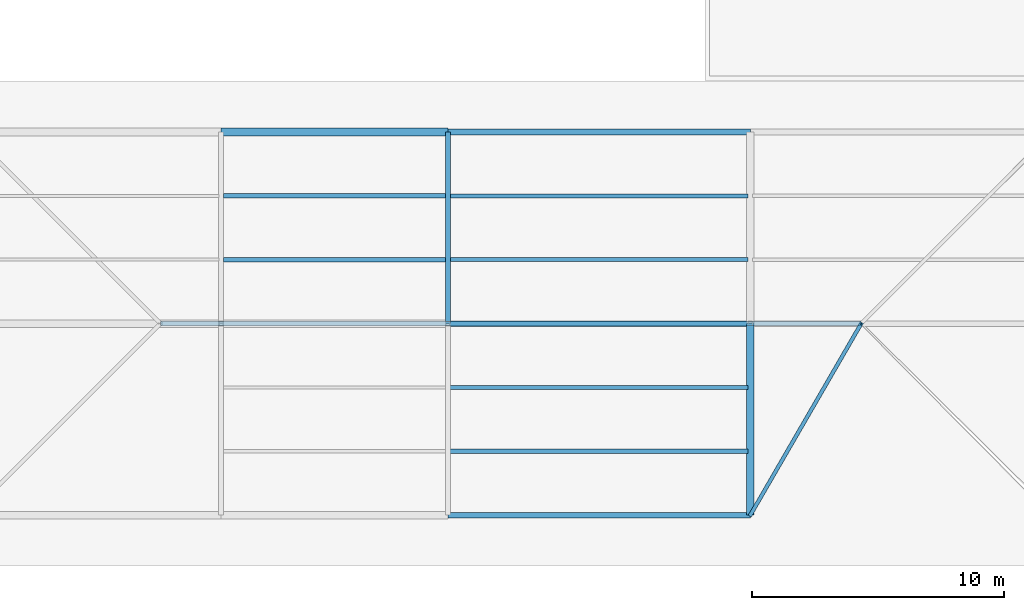
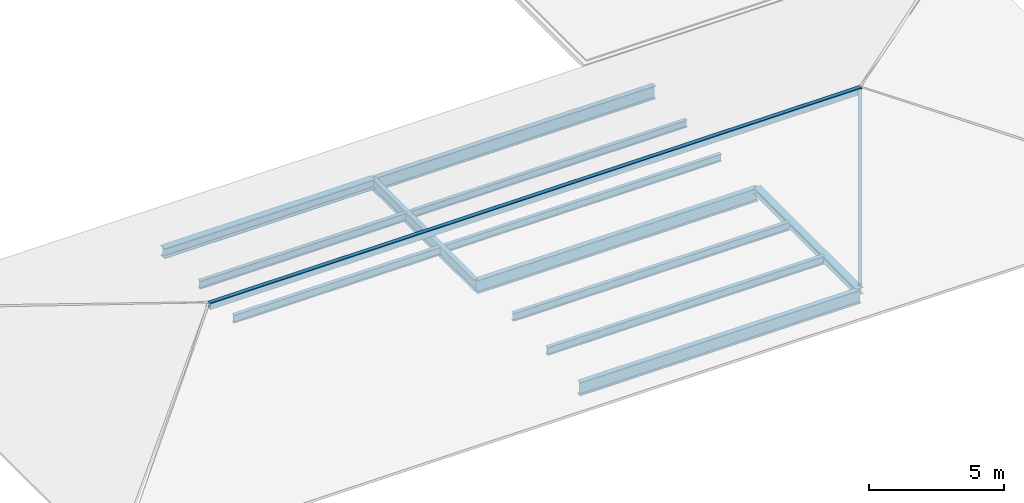
# One storey, part 55 of 120: 12 beams, 2 members.
"""IFC4 building model written with IfcOpenShell, lengths in metres."""

from ifc_helpers import new_model, si_unit, direction, frame, origin, origin_2d, place, context, subcontext, project, spatial, hollow_rectangle, i_section, extrude, material, material_profile, profile_set, type_object, element, save


model = new_model("IFC4")

# Units and contexts
model_context = context("Model", 3, precision=1e-05, world=origin(), true_north=direction((0.0, 1.0)))
body_context = subcontext(model_context, "Body", "Model", "MODEL_VIEW")
ifc_project = project(units=[si_unit("LENGTHUNIT", "METRE"), si_unit("AREAUNIT", "SQUARE_METRE"), si_unit("VOLUMEUNIT", "CUBIC_METRE"), si_unit("PLANEANGLEUNIT", "RADIAN"), si_unit("MASSUNIT", "GRAM", prefix="KILO")], contexts=[model_context])

# Site, building, storey
site_placement = place(None, origin())
site = spatial("IfcSite", under=ifc_project, at=site_placement, CompositionType="ELEMENT")
building_placement = place(site_placement, origin())
building = spatial("IfcBuilding", under=site, at=building_placement, Name="Vekula Escarpment Museum", CompositionType="ELEMENT")
storey_placement = place(building_placement, frame((0.0, 0.0, 13.199951171875)))
storey = spatial("IfcBuildingStorey", under=building, at=storey_placement, Name="L03", CompositionType="ELEMENT", Elevation=13.199951171875)

# Beams
ifc_material_1 = material(Name="Steel S355", Category="steel")
ifc_material_profile_1 = material_profile(ifc_material_1, i_section(OverallWidth=0.300048828125, OverallDepth=0.449951171875, WebThickness=0.013916015625, FlangeThickness=0.02587890625, FilletRadius=0.027099609375, at=origin_2d()), Name="HEB 450")
ifc_profile_set_1 = profile_set([ifc_material_profile_1], Name="Steel S355")
beam_type_1 = type_object("IfcBeamType", Name="BM-GIRD-HEB450", PredefinedType="BEAM", material=ifc_profile_set_1)
beam_1_placement = place(storey_placement, frame((146.0, 15.199951171875, -0.474853515625), z_axis=(1.0, 0.0, 0.0), x_axis=(0.0, 1.0, 0.0)))
element("IfcBeam", 1, at=beam_1_placement, inside=storey, type_object=beam_type_1, Name="Beam X L03 1302", PredefinedType="BEAM", context=body_context, shape_type="SweptSolid", body=[
    extrude(i_section(OverallWidth=0.300048828125, OverallDepth=0.449951171875, WebThickness=0.013916015625, FlangeThickness=0.02587890625, FilletRadius=0.027099609375, at=origin_2d()), origin(), (0.0, 0.0, 1.0), 9.0),
])
ifc_material_2 = material(Name="Steel S355", Category="steel")
ifc_material_profile_2 = material_profile(ifc_material_2, i_section(OverallWidth=0.199951171875, OverallDepth=0.5, WebThickness=0.01025390625, FlangeThickness=0.01611328125, FilletRadius=0.02099609375, at=origin_2d()), Name="IPE 500")
ifc_profile_set_2 = profile_set([ifc_material_profile_2], Name="Steel S355")
beam_type_2 = type_object("IfcBeamType", Name="BM-GIRD-IPE500", PredefinedType="BEAM", material=ifc_profile_set_2)
beam_2_placement = place(storey_placement, frame((155.0, 7.60009765625, -0.5), z_axis=(0.0, 1.0, 0.0), x_axis=(-1.0, 0.0, 0.0)))
element("IfcBeam", 2, at=beam_2_placement, inside=storey, type_object=beam_type_2, Name="Beam Y L03 1638", PredefinedType="BEAM", context=body_context, shape_type="SweptSolid", body=[
    extrude(i_section(OverallWidth=0.199951171875, OverallDepth=0.5, WebThickness=0.01025390625, FlangeThickness=0.01611328125, FilletRadius=0.02099609375, at=origin_2d()), origin(), (0.0, 0.0, 1.0), 7.599853515625),
])
ifc_material_3 = material(Name="Steel S355", Category="steel")
ifc_material_profile_3 = material_profile(ifc_material_3, i_section(OverallWidth=0.219970703125, OverallDepth=0.60009765625, WebThickness=0.011962890625, FlangeThickness=0.01904296875, FilletRadius=0.02392578125, at=origin_2d()), Name="IPE 600")
ifc_profile_set_3 = profile_set([ifc_material_profile_3], Name="Steel S355")
beam_type_3 = type_object("IfcBeamType", Name="BM-GIRD-IPE600", PredefinedType="BEAM", material=ifc_profile_set_3)
for number, where, z_axis, x_axis, name in (
    (3, (155.0, 0.0, -0.550048828125), (1.0, 0.0, 0.0), (0.0, 1.0, 0.0), "Beam X L03 1278"),
    (4, (155.0, 7.60009765625, -0.550048828125), (1.0, 0.0, 0.0), (0.0, 1.0, 0.0), "Beam X L03 1290"),
    (5, (155.0, 15.199951171875, -0.550048828125), (1.0, 0.0, 0.0), (0.0, 1.0, 0.0), "Beam X L03 1303"),
):
    element("IfcBeam", number, at=place(storey_placement, frame(where, z_axis=z_axis, x_axis=x_axis)), inside=storey, type_object=beam_type_3, Name=name, PredefinedType="BEAM", context=body_context, shape_type="SweptSolid", body=[
        extrude(i_section(OverallWidth=0.219970703125, OverallDepth=0.60009765625, WebThickness=0.011962890625, FlangeThickness=0.01904296875, FilletRadius=0.02392578125, at=origin_2d()), origin(), (0.0, 0.0, 1.0), 12.0),
    ])
ifc_material_4 = material(Name="Steel S355", Category="steel")
ifc_material_profile_4 = material_profile(ifc_material_4, i_section(OverallWidth=0.159912109375, OverallDepth=0.330078125, WebThickness=0.007568359375, FlangeThickness=0.011474609375, FilletRadius=0.01806640625, at=origin_2d()), Name="IPE 330")
ifc_profile_set_4 = profile_set([ifc_material_profile_4], Name="Steel S355")
beam_type_4 = type_object("IfcBeamType", Name="BM-JST-IPE330", PredefinedType="JOIST", material=ifc_profile_set_4)
for number, where, z_axis, x_axis, name in (
    (6, (155.090087890625, 10.13330078125, -0.4150390625), (1.0, 0.0, 0.0), (0.0, 1.0, 0.0), "Secondary Joist L03 1088"),
    (7, (155.090087890625, 12.666748046875, -0.4150390625), (1.0, 0.0, 0.0), (0.0, 1.0, 0.0), "Secondary Joist L03 1089"),
):
    element("IfcBeam", number, at=place(storey_placement, frame(where, z_axis=z_axis, x_axis=x_axis)), inside=storey, type_object=beam_type_4, Name=name, PredefinedType="JOIST", context=body_context, shape_type="SweptSolid", body=[
        extrude(i_section(OverallWidth=0.159912109375, OverallDepth=0.330078125, WebThickness=0.007568359375, FlangeThickness=0.011474609375, FilletRadius=0.01806640625, at=origin_2d()), origin(), (0.0, 0.0, 1.0), 11.81982421875),
    ])
ifc_material_5 = material(Name="Steel S355", Category="steel")
ifc_material_profile_5 = material_profile(ifc_material_5, i_section(OverallWidth=0.169921875, OverallDepth=0.360107421875, WebThickness=0.008056640625, FlangeThickness=0.0126953125, FilletRadius=0.01806640625, at=origin_2d()), Name="IPE 360")
ifc_profile_set_5 = profile_set([ifc_material_profile_5], Name="Steel S355")
beam_type_5 = type_object("IfcBeamType", Name="BM-JST-IPE360", PredefinedType="JOIST", material=ifc_profile_set_5)
for number, where, z_axis, x_axis, name in (
    (8, (146.090087890625, 10.13330078125, -0.429931640625), (1.0, 0.0, 0.0), (0.0, 1.0, 0.0), "Secondary Joist L03 1082"),
    (9, (146.090087890625, 12.666748046875, -0.429931640625), (1.0, 0.0, 0.0), (0.0, 1.0, 0.0), "Secondary Joist L03 1083"),
):
    element("IfcBeam", number, at=place(storey_placement, frame(where, z_axis=z_axis, x_axis=x_axis)), inside=storey, type_object=beam_type_5, Name=name, PredefinedType="JOIST", context=body_context, shape_type="SweptSolid", body=[
        extrude(i_section(OverallWidth=0.169921875, OverallDepth=0.360107421875, WebThickness=0.008056640625, FlangeThickness=0.0126953125, FilletRadius=0.01806640625, at=origin_2d()), origin(), (0.0, 0.0, 1.0), 8.81982421875),
    ])
for number, where, z_axis, x_axis, name in (
    (10, (155.090087890625, 2.533203125, -0.429931640625), (1.0, 0.0, 0.0), (0.0, 1.0, 0.0), "Secondary Joist L03 1086"),
    (11, (155.090087890625, 5.066650390625, -0.429931640625), (1.0, 0.0, 0.0), (0.0, 1.0, 0.0), "Secondary Joist L03 1087"),
):
    element("IfcBeam", number, at=place(storey_placement, frame(where, z_axis=z_axis, x_axis=x_axis)), inside=storey, type_object=beam_type_5, Name=name, PredefinedType="JOIST", context=body_context, shape_type="SweptSolid", body=[
        extrude(i_section(OverallWidth=0.169921875, OverallDepth=0.360107421875, WebThickness=0.008056640625, FlangeThickness=0.0126953125, FilletRadius=0.01806640625, at=origin_2d()), origin(), (0.0, 0.0, 1.0), 11.81982421875),
    ])
ifc_material_6 = material(Name="Steel S355", Category="steel")
ifc_material_profile_6 = material_profile(ifc_material_6, i_section(OverallWidth=0.300048828125, OverallDepth=0.2900390625, WebThickness=0.008544921875, FlangeThickness=0.013916015625, FilletRadius=0.027099609375, at=origin_2d()), Name="HEA 300")
ifc_profile_set_6 = profile_set([ifc_material_profile_6], Name="Steel S355")
beam_type_6 = type_object("IfcBeamType", Name="BM-SPAN-HEA300", PredefinedType="SPANDREL", material=ifc_profile_set_6)
beam_3_placement = place(storey_placement, frame((167.0, 0.0, -0.39501953125), z_axis=(0.0, 1.0, 0.0), x_axis=(-1.0, 0.0, 0.0)))
element("IfcBeam", 12, at=beam_3_placement, inside=storey, type_object=beam_type_6, Name="Beam Y L03 1640", PredefinedType="SPANDREL", context=body_context, shape_type="SweptSolid", body=[
    extrude(i_section(OverallWidth=0.300048828125, OverallDepth=0.2900390625, WebThickness=0.008544921875, FlangeThickness=0.013916015625, FilletRadius=0.027099609375, at=origin_2d()), origin(), (0.0, 0.0, 1.0), 7.60009765625),
])

# Members
ifc_material_7 = material(Name="Steel S355", Category="steel")
ifc_material_profile_7 = material_profile(ifc_material_7, hollow_rectangle(XDim=0.199951171875, YDim=0.300048828125, WallThickness=0.011962890625, InnerFilletRadius=0.011962890625, OuterFilletRadius=0.02392578125, at=origin_2d()), Name="RHS 300x200x12")
ifc_profile_set_7 = profile_set([ifc_material_profile_7], Name="Steel S355")
member_type_1 = type_object("IfcMemberType", Name="MB-CHORD-RHS300", PredefinedType="CHORD", material=ifc_profile_set_7)
member_1_placement = place(storey_placement, frame((143.60009765625, 7.60009765625, 2.56005859375), z_axis=(1.0, 0.0, 0.0), x_axis=(0.0, 1.0, 0.0)))
element("IfcMember", 13, at=member_1_placement, inside=storey, type_object=member_type_1, Name="Entry Pavilion Roof Ridge Chord", PredefinedType="CHORD", context=body_context, shape_type="SweptSolid", body=[
    extrude(hollow_rectangle(XDim=0.199951171875, YDim=0.300048828125, WallThickness=0.011962890625, InnerFilletRadius=0.011962890625, OuterFilletRadius=0.02392578125, at=origin_2d()), origin(), (0.0, 0.0, 1.0), 27.7998046875),
])
ifc_material_8 = material(Name="Steel S355", Category="steel")
ifc_material_profile_8 = material_profile(ifc_material_8, i_section(OverallWidth=0.14990234375, OverallDepth=0.300048828125, WebThickness=0.007080078125, FlangeThickness=0.0107421875, FilletRadius=0.014892578125, at=origin_2d()), Name="IPE 300")
ifc_profile_set_8 = profile_set([ifc_material_profile_8], Name="Steel S355")
member_type_2 = type_object("IfcMemberType", Name="MB-HIP-RAFTER", PredefinedType="CHORD", material=ifc_profile_set_8)
member_2_placement = place(storey_placement, frame((167.0, 0.0, -0.14990234375), z_axis=(0.478746812468, 0.826955291984, 0.294866808256), x_axis=(-0.865433898834, 0.501023119974, 0.0)))
element("IfcMember", 14, at=member_2_placement, inside=storey, type_object=member_type_2, Name="Entry Pavilion Hip Rafter 2", PredefinedType="CHORD", context=body_context, shape_type="SweptSolid", body=[
    extrude(i_section(OverallWidth=0.14990234375, OverallDepth=0.300048828125, WebThickness=0.007080078125, FlangeThickness=0.0107421875, FilletRadius=0.014892578125, at=origin_2d()), origin(), (0.0, 0.0, 1.0), 9.1904296875),
])

save(model, "model.ifc")
